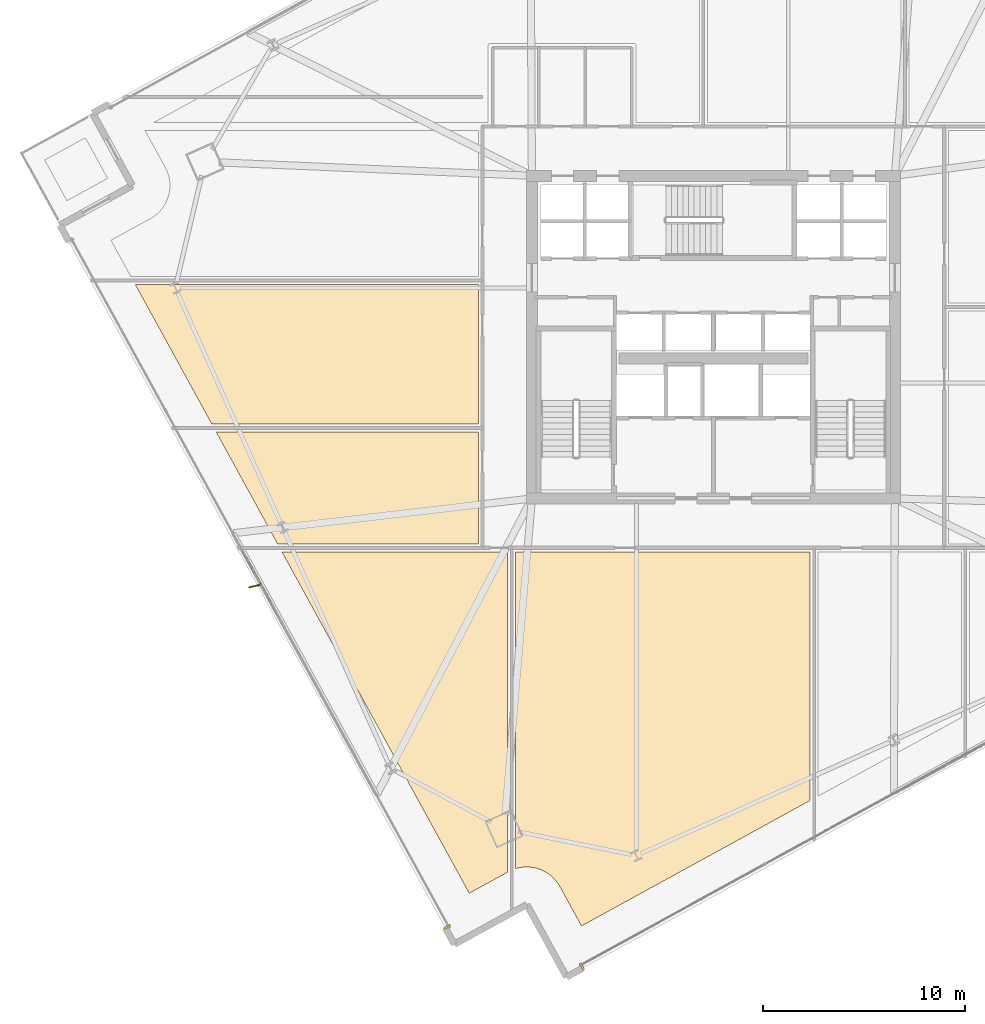
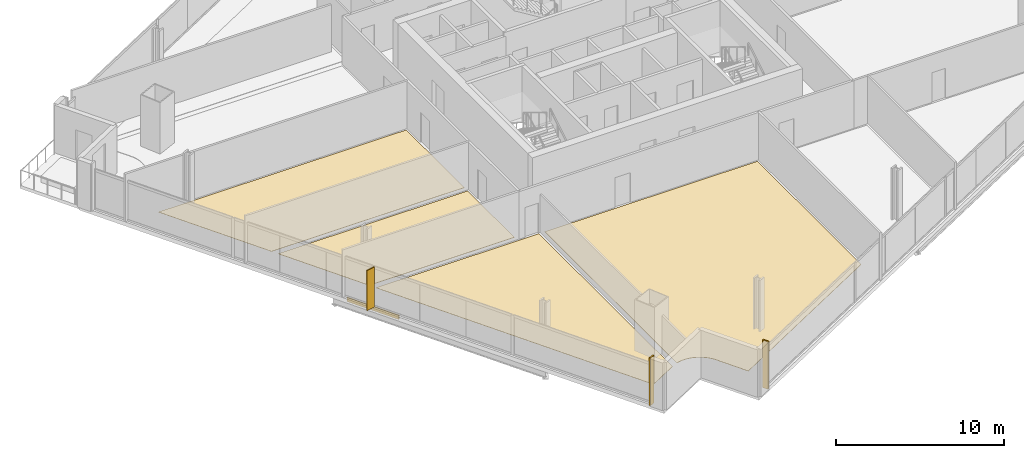
# One storey, part 28 of 33: 7 coverings, 1 shading device.
"""IFC4 building model written with IfcOpenShell, lengths in metres."""

from ifc_helpers import new_model, si_unit, direction, frame, origin, origin_2d, place, context, subcontext, project, spatial, polyline, rectangle, outline, extrude, source, transform, mapped, material, layer, layer_set, type_object, element, save


model = new_model("IFC4")

# Units and contexts
model_context = context("Model", 3, precision=1e-05, world=origin(), true_north=direction((0.0, 1.0)))
body_context = subcontext(model_context, "Body", "Model", "MODEL_VIEW")
ifc_project = project(units=[si_unit("LENGTHUNIT", "METRE"), si_unit("AREAUNIT", "SQUARE_METRE"), si_unit("VOLUMEUNIT", "CUBIC_METRE"), si_unit("PLANEANGLEUNIT", "RADIAN"), si_unit("MASSUNIT", "GRAM", prefix="KILO")], contexts=[model_context])

# Site, building, storey
site_placement = place(None, origin())
site = spatial("IfcSite", under=ifc_project, at=site_placement, CompositionType="ELEMENT")
building_placement = place(site_placement, origin())
building = spatial("IfcBuilding", under=site, at=building_placement, Name="Haldenkirk Collegiate Tower", CompositionType="ELEMENT")
storey_placement = place(building_placement, frame((0.0, 0.0, 124.199951171875)))
storey = spatial("IfcBuildingStorey", under=building, at=storey_placement, Name="L30", CompositionType="ELEMENT", Elevation=124.199951171875)

# Coverings
ifc_material_1 = material(Name="Polished collegiate terrazzo", Category="concrete")
ifc_layer_1 = layer(ifc_material_1, 0.02490234375)
ifc_layer_set_1 = layer_set([ifc_layer_1], Name="Polished collegiate terrazzo")
covering_type_1 = type_object("IfcCoveringType", Name="COV-FLOOR-TERRAZZO", PredefinedType="FLOORING", material=ifc_layer_set_1)
covering_1_placement = place(storey_placement, origin())
element("IfcCovering", 1, at=covering_1_placement, inside=storey, type_object=covering_type_1, Name="L30 academic room finish 02", PredefinedType="FLOORING", context=body_context, shape_type="SweptSolid", body=[
    extrude(outline(polyline([(26.199951171875, -0.357666015625), (26.199951171875, 15.35009765625), (40.800048828125, 15.35009765625), (40.800048828125, 3.02099609375), (29.458984375, -3.200927734375), (28.386474609375, -1.245849609375), (28.38330078125, -1.24072265625), (28.29345703125, -1.094482421875), (28.286865234375, -1.084716796875), (28.18310546875, -0.94775390625), (28.175537109375, -0.938720703125), (28.058837890625, -0.812744140625), (28.05029296875, -0.8046875), (27.921875, -0.690673828125), (27.91259765625, -0.68310546875), (27.773681640625, -0.58251953125), (27.763916015625, -0.575927734375), (27.615478515625, -0.4892578125), (27.60498046875, -0.48388671875), (27.448974609375, -0.412109375), (27.43798828125, -0.40771484375), (27.27587890625, -0.351806640625), (27.264404296875, -0.348388671875), (27.097412109375, -0.30859375), (27.0859375, -0.306396484375), (26.915771484375, -0.282958984375), (26.904052734375, -0.281982421875), (26.732421875, -0.275390625), (26.720703125, -0.275390625), (26.54931640625, -0.285888671875), (26.53759765625, -0.287109375), (26.367919921875, -0.314208984375), (26.3564453125, -0.316650390625), (26.199951171875, -0.357666015625)])), origin(), (0.0, 0.0, 1.0), 0.025146484375),
])
covering_2_placement = place(storey_placement, origin())
element("IfcCovering", 2, at=covering_2_placement, inside=storey, type_object=covering_type_1, Name="L30 academic room finish 08", PredefinedType="FLOORING", context=body_context, shape_type="SweptSolid", body=[
    extrude(outline(polyline([(11.3408203125, 21.300048828125), (24.35009765625, 21.300048828125), (24.35009765625, 15.75), (14.385498046875, 15.75), (11.3408203125, 21.300048828125)])), origin(), (0.0, 0.0, 1.0), 0.025146484375),
])
ifc_material_2 = material(Name="Engineered collegiate oak acoustic flooring", Category="wood")
ifc_layer_2 = layer(ifc_material_2, 0.02197265625)
ifc_layer_set_2 = layer_set([ifc_layer_2], Name="Engineered collegiate oak acoustic flooring")
covering_type_2 = type_object("IfcCoveringType", Name="COV-FLOOR-TIMBER", PredefinedType="FLOORING", material=ifc_layer_set_2)
covering_3_placement = place(storey_placement, origin())
element("IfcCovering", 3, at=covering_3_placement, inside=storey, type_object=covering_type_2, Name="L30 academic room finish 01", PredefinedType="FLOORING", context=body_context, shape_type="SweptSolid", body=[
    extrude(outline(polyline([(25.800048828125, -0.53173828125), (23.892333984375, -1.578369140625), (14.60498046875, 15.35009765625), (25.800048828125, 15.35009765625), (25.800048828125, -0.53173828125)])), origin(), (0.0, 0.0, 1.0), 0.02197265625),
])
covering_4_placement = place(storey_placement, origin())
element("IfcCovering", 4, at=covering_4_placement, inside=storey, type_object=covering_type_2, Name="L30 academic room finish 09", PredefinedType="FLOORING", context=body_context, shape_type="SweptSolid", body=[
    extrude(outline(polyline([(7.3359375, 28.60009765625), (24.35009765625, 28.60009765625), (24.35009765625, 21.699951171875), (11.121337890625, 21.699951171875), (7.3359375, 28.60009765625)])), origin(), (0.0, 0.0, 1.0), 0.02197265625),
])
ifc_material_3 = material(Name="Anodised architectural bronze aluminium", Category="aluminium")
ifc_layer_3 = layer(ifc_material_3, 0.06005859375)
ifc_layer_set_3 = layer_set([ifc_layer_3], Name="Anodised architectural bronze aluminium")
covering_type_3 = type_object("IfcCoveringType", Name="COV-CLAD-BRONZE-60", PredefinedType="CLADDING", material=ifc_layer_set_3)
shared_shape_1 = source(origin(), body_context, "Body", "SweptSolid", [
    extrude(rectangle(XDim=3.60009765625, YDim=0.06005859375, at=origin_2d()), origin(), (0.0, 0.0, 1.0), 0.300048828125),
])
covering_5_placement = place(storey_placement, frame((13.528076171875, 13.7998046875, -0.2998046875), z_axis=(0.0, 0.0, 1.0), x_axis=(-0.480988768919, 0.876726755708, 0.0)))
element("IfcCovering", 5, at=covering_5_placement, inside=storey, type_object=covering_type_3, Name="L30 architectural bronze spandrel cladding W", PredefinedType="CLADDING", context=body_context, shape_type="MappedRepresentation", body=[
    mapped(shared_shape_1, transform((0.0, 0.0, 0.0), x_axis=(1.0, 0.0, 0.0), y_axis=(0.0, 1.0, 0.0), z_axis=(0.0, 0.0, 1.0), scale=1.0)),
])
shared_shape_2 = source(origin(), body_context, "Body", "SweptSolid", [
    extrude(rectangle(XDim=0.10009765625, YDim=0.3798828125, at=origin_2d()), origin(), (0.0, 0.0, 1.0), 3.449951171875),
])
for number, where, z_axis, x_axis, name in (
    (6, (29.490966796875, -5.213623046875, 0.0), (0.0, 0.0, 1.0), (-0.876726755708, -0.480988768919, 0.0), "L30 recessed curtain-wall bronze jamb closure SJR"),
    (7, (22.783935546875, -3.258544921875, 0.0), (0.0, 0.0, 1.0), (-0.480988768919, 0.876726755708, 0.0), "L30 recessed curtain-wall bronze jamb closure WJL"),
):
    element("IfcCovering", number, at=place(storey_placement, frame(where, z_axis=z_axis, x_axis=x_axis)), inside=storey, type_object=covering_type_3, Name=name, PredefinedType="CLADDING", context=body_context, shape_type="MappedRepresentation", body=[
        mapped(shared_shape_2, transform((0.0, 0.0, 0.0), x_axis=(1.0, 0.0, 0.0), y_axis=(0.0, 1.0, 0.0), z_axis=(0.0, 0.0, 1.0), scale=1.0)),
    ])

# Shading device
ifc_layer_4 = layer(ifc_material_3, 0.06494140625)
ifc_layer_set_4 = layer_set([ifc_layer_4], Name="Anodised architectural bronze aluminium")
shading_device_type = type_object("IfcShadingDeviceType", Name="SHD-FIN-BRONZE-620", PredefinedType="USERDEFINED", material=ifc_layer_set_4)
shared_shape_3 = source(origin(), body_context, "Body", "SweptSolid", [
    extrude(rectangle(XDim=0.6201171875, YDim=0.06494140625, at=origin_2d()), origin(), (0.0, 0.0, 1.0), 2.90087890625),
])
shading_device_placement = place(storey_placement, frame((13.269287109375, 13.657958984375, 0.0), z_axis=(0.0, 0.0, 1.0), x_axis=(-0.975342320509, -0.220697435022, 0.0)))
element("IfcShadingDevice", 8, at=shading_device_placement, inside=storey, type_object=shading_device_type, Name="L30 folded bronze solar fin 1", ObjectType="FIN", PredefinedType="USERDEFINED", context=body_context, shape_type="MappedRepresentation", body=[
    mapped(shared_shape_3, transform((0.0, 0.0, 0.0), x_axis=(1.0, 0.0, 0.0), y_axis=(0.0, 1.0, 0.0), z_axis=(0.0, 0.0, 1.0), scale=1.0)),
])

save(model, "model.ifc")
